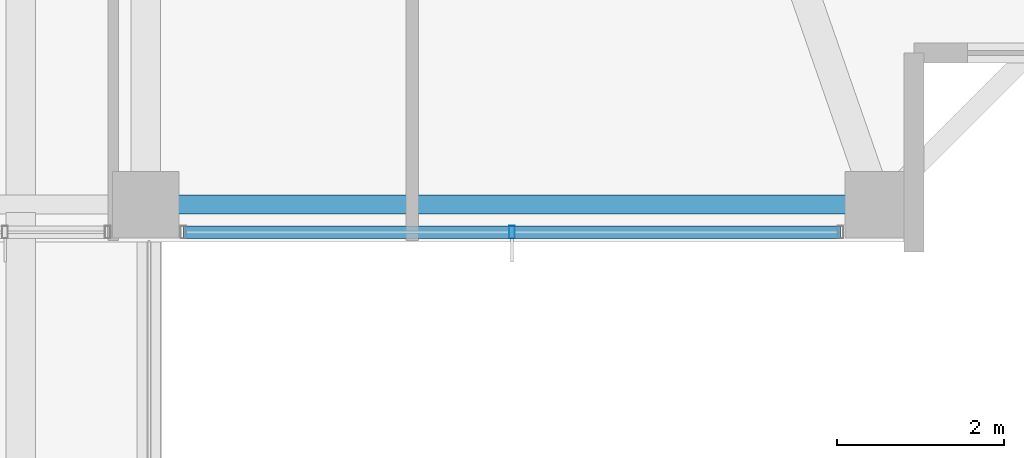
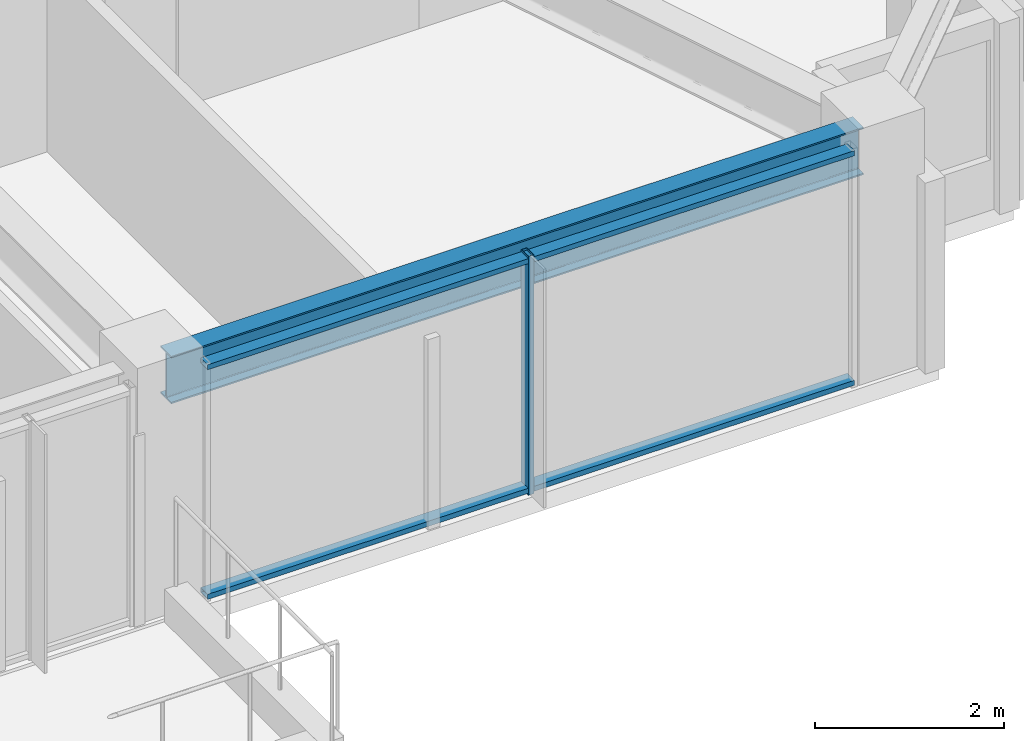
# One storey, part 7 of 36: 3 members, 1 beam, 1 element without a shape of its own.
"""IFC4 building model written with IfcOpenShell, lengths in metres."""

from ifc_helpers import new_model, si_unit, direction, frame, origin, origin_2d, place, context, subcontext, project, spatial, hollow_rectangle, i_section, extrude, material, material_profile, profile_set, type_object, element, aggregate, save


model = new_model("IFC4")

# Units and contexts
model_context = context("Model", 3, precision=1e-05, world=origin(), true_north=direction((0.0, 1.0)))
body_context = subcontext(model_context, "Body", "Model", "MODEL_VIEW")
ifc_project = project(units=[si_unit("LENGTHUNIT", "METRE"), si_unit("AREAUNIT", "SQUARE_METRE"), si_unit("VOLUMEUNIT", "CUBIC_METRE"), si_unit("PLANEANGLEUNIT", "RADIAN"), si_unit("MASSUNIT", "GRAM", prefix="KILO")], contexts=[model_context])

# Site, building, storey
site_placement = place(None, origin())
site = spatial("IfcSite", under=ifc_project, at=site_placement, CompositionType="ELEMENT")
building_placement = place(site_placement, origin())
building = spatial("IfcBuilding", under=site, at=building_placement, Name="Kolvaren Belvedere", CompositionType="ELEMENT")
storey_placement = place(building_placement, frame((0.0, 0.0, 226.199951171875)))
storey = spatial("IfcBuildingStorey", under=building, at=storey_placement, Name="L66", CompositionType="ELEMENT", Elevation=226.199951171875)

# Beam
ifc_material_1 = material(Name="Structural steel ASTM A992 Grade 50", Category="steel")
ifc_material_profile_1 = material_profile(ifc_material_1, i_section(OverallWidth=0.22900390625, OverallDepth=0.612060546875, WebThickness=0.011962890625, FlangeThickness=0.01953125, FilletRadius=0.01806640625, at=origin_2d()), Name="W24X84")
ifc_profile_set_1 = profile_set([ifc_material_profile_1], Name="Structural steel ASTM A992 Grade 50")
beam_type = type_object("IfcBeamType", Name="BM-SPAN-W24X84", PredefinedType="SPANDREL", material=ifc_profile_set_1)
beam_placement = place(storey_placement, frame((4.780029296875, -19.949951171875, 2.774169921875), z_axis=(1.0, 0.0, 0.0), x_axis=(0.0, 1.0, 0.0)))
element("IfcBeam", 1, at=beam_placement, inside=storey, type_object=beam_type, Name="L66 Perimeter Spandrel S3-S4", PredefinedType="SPANDREL", context=body_context, shape_type="SweptSolid", body=[
    extrude(i_section(OverallWidth=0.22900390625, OverallDepth=0.612060546875, WebThickness=0.011962890625, FlangeThickness=0.01953125, FilletRadius=0.01806640625, at=origin_2d()), origin(), (0.0, 0.0, 1.0), 8.43994140625),
])

# Curtain wall, members
ifc_material_2 = material(Name="Anodised pale-metal aluminium AA 6063-T6", Category="aluminium")
curtain_wall_type = type_object("IfcCurtainWallType", Name="CW-Z5-HIGH", PredefinedType="NOTDEFINED", material=ifc_material_2)
curtain_wall_placement = place(storey_placement, origin())
curtain_wall = element("IfcCurtainWall", 2, at=curtain_wall_placement, inside=storey, type_object=curtain_wall_type, Name="L66 Unitised Curtain Wall FCW-L66-S1-B1", PredefinedType="NOTDEFINED")
ifc_material_3 = material(Name="Anodised pale-metal aluminium AA 6063-T6", Category="aluminium")
ifc_material_profile_2 = material_profile(ifc_material_3, hollow_rectangle(XDim=0.070068359375, YDim=0.14990234375, WallThickness=0.004150390625, at=origin_2d()), Name="ALU-MUL-150X70")
ifc_profile_set_2 = profile_set([ifc_material_profile_2], Name="Anodised pale-metal aluminium AA 6063-T6")
member_type_1 = type_object("IfcMemberType", Name="CW-MUL-150", PredefinedType="MULLION", material=ifc_profile_set_2)
member_1_placement = place(storey_placement, frame((9.0, -20.280029296875, 0.0), z_axis=(0.0, 0.0, 1.0), x_axis=(1.0, 0.0, 0.0)))
member_1 = element("IfcMember", 3, at=member_1_placement, type_object=member_type_1, Name="FCW-L66-S1-B1 Unitised Mullion 2", PredefinedType="MULLION", context=body_context, shape_type="SweptSolid", body=[
    extrude(hollow_rectangle(XDim=0.070068359375, YDim=0.14990234375, WallThickness=0.004150390625, at=origin_2d()), origin(), (0.0, 0.0, 1.0), 3.080078125),
])
ifc_material_4 = material(Name="Anodised pale-metal aluminium AA 6063-T6", Category="aluminium")
ifc_material_profile_3 = material_profile(ifc_material_4, hollow_rectangle(XDim=0.06494140625, YDim=0.14990234375, WallThickness=0.00390625, at=origin_2d()), Name="ALU-TRN-150X65")
ifc_profile_set_3 = profile_set([ifc_material_profile_3], Name="Anodised pale-metal aluminium AA 6063-T6")
member_type_2 = type_object("IfcMemberType", Name="CW-TRN-150", PredefinedType="USERDEFINED", material=ifc_profile_set_3)
member_2_placement = place(storey_placement, frame((12.945068359375, -20.280029296875, 0.06005859375), z_axis=(-1.0, 0.0, 0.0), x_axis=(0.0, 0.0, 1.0)))
member_2 = element("IfcMember", 4, at=member_2_placement, type_object=member_type_2, Name="FCW-L66-S1-B1 Sill Transom", ObjectType="TRANSOM", PredefinedType="USERDEFINED", context=body_context, shape_type="SweptSolid", body=[
    extrude(hollow_rectangle(XDim=0.06494140625, YDim=0.14990234375, WallThickness=0.00390625, at=origin_2d()), origin(), (0.0, 0.0, 1.0), 7.89013671875),
])
member_3_placement = place(storey_placement, frame((12.945068359375, -20.280029296875, 3.02001953125), z_axis=(-1.0, 0.0, 0.0), x_axis=(0.0, 0.0, 1.0)))
member_3 = element("IfcMember", 5, at=member_3_placement, type_object=member_type_2, Name="FCW-L66-S1-B1 Head Transom", ObjectType="TRANSOM", PredefinedType="USERDEFINED", context=body_context, shape_type="SweptSolid", body=[
    extrude(hollow_rectangle(XDim=0.06494140625, YDim=0.14990234375, WallThickness=0.00390625, at=origin_2d()), origin(), (0.0, 0.0, 1.0), 7.89013671875),
])
aggregate(curtain_wall, [member_1, member_2, member_3])

save(model, "model.ifc")
